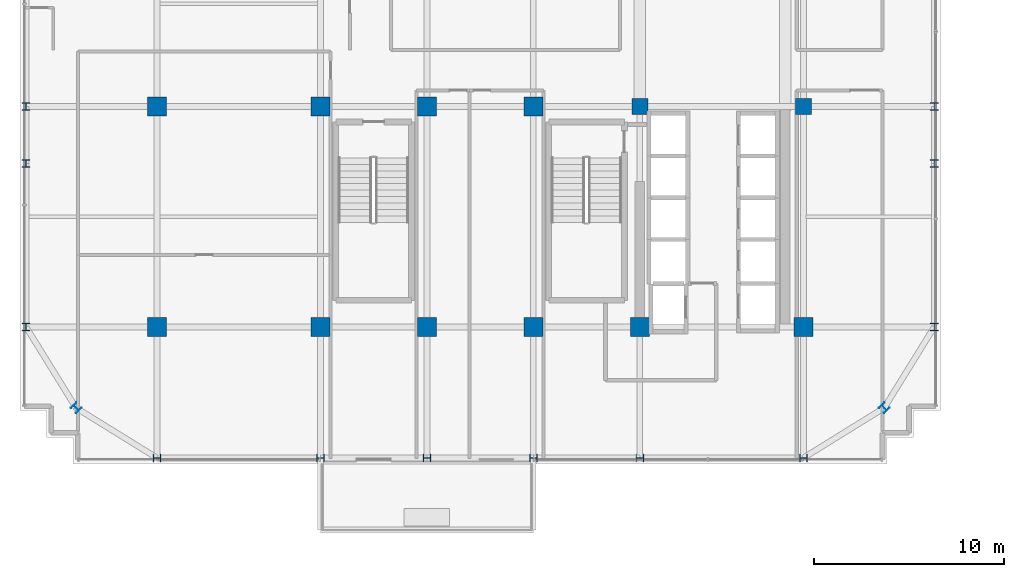
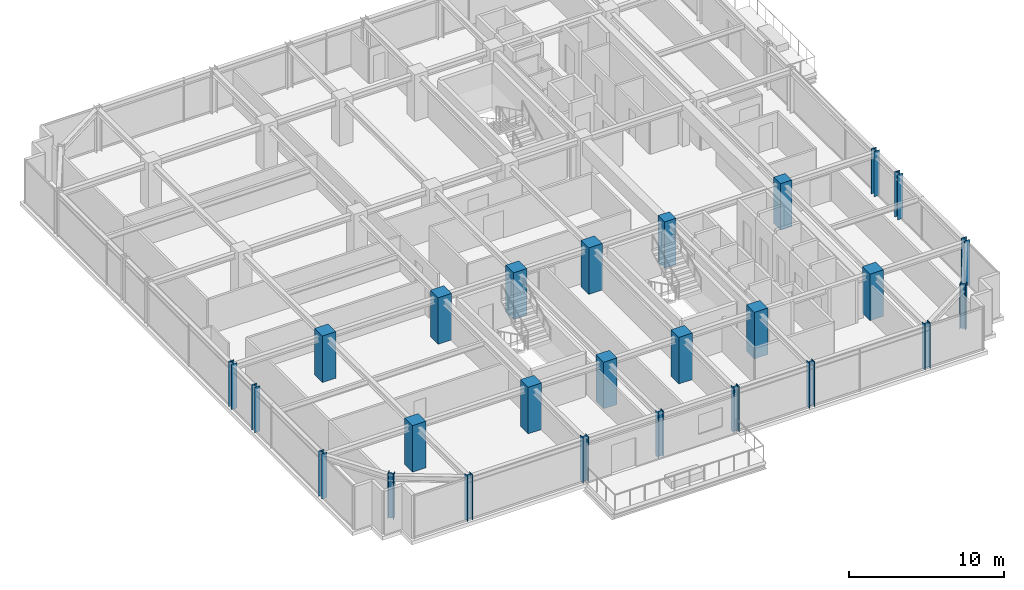
# One storey, part 1 of 36: 26 columns.
"""IFC4 building model written with IfcOpenShell, lengths in metres."""

import ifcopenshell
import ifcopenshell.guid

model = None  # the IFC model being written
_history = None  # IfcOwnerHistory: only IFC2X3 demands one
_inside = {}  # id of a spatial element -> (the spatial element, [elements in it])
_under = {}  # id of a project, library or spatial element -> (it, [spatial elements below it])
_declared = {}  # id of a project -> (the project, [libraries it declares])
_typed = {}  # id of a type object -> (the type object, [elements of that type])
_made_of = {}  # id of a material, layer set ... -> (it, [elements and type objects made of it])


def new_model(schema):
    """Start an empty IFC model of exactly this schema.

    Asked for "IFC4X3", IfcOpenShell would pick the latest addendum, in which some entities
    have other attributes; the version numbers below select the first issue.
    IFC2X3 requires an IfcOwnerHistory on every rooted entity: one is made here for all.
    """
    global model, _history
    if schema == "IFC4X3":
        model = ifcopenshell.file(schema_version=(4, 3, 0, 0))
    else:
        model = ifcopenshell.file(schema=schema)
    _inside.clear()
    _under.clear()
    _declared.clear()
    _typed.clear()
    _made_of.clear()
    _history = None
    if model.schema == "IFC2X3":
        org = make("IfcOrganization", Name="unknown")
        user = make(
            "IfcPersonAndOrganization",
            ThePerson=make("IfcPerson", FamilyName="unknown"),
            TheOrganization=org,
        )
        app = make(
            "IfcApplication",
            ApplicationDeveloper=org,
            Version="unknown",
            ApplicationFullName="unknown",
            ApplicationIdentifier="unknown",
        )
        _history = make(
            "IfcOwnerHistory",
            OwningUser=user,
            OwningApplication=app,
            ChangeAction="ADDED",
            CreationDate=0,
        )
    return model


def make(cls, **values):
    """One entity of the class cls with the attributes given. An attribute that is None is left unset."""
    return model.create_entity(
        cls, **{name: value for name, value in values.items() if value is not None}
    )


def rooted(cls, **values):
    """An entity with a GlobalId (a new one), such as an element, a storey or a relation."""
    return make(cls, GlobalId=ifcopenshell.guid.new(), OwnerHistory=_history, **values)


def si_unit(unit_type, name, prefix=None):
    """IfcSIUnit, for example si_unit("LENGTHUNIT", "METRE", prefix="MILLI")."""
    return make("IfcSIUnit", UnitType=unit_type, Prefix=prefix, Name=name)


def assignment(units):
    """IfcUnitAssignment: the units of a project."""
    return None if units is None else make("IfcUnitAssignment", Units=units)


def point(xyz):
    """IfcCartesianPoint."""
    return None if xyz is None else make("IfcCartesianPoint", Coordinates=xyz)


def direction(xyz):
    """IfcDirection."""
    return None if xyz is None else make("IfcDirection", DirectionRatios=xyz)


def frame(location, z_axis=None, x_axis=None):
    """IfcAxis2Placement3D, a coordinate frame: its origin and axes. An axis left out is left unset."""
    return make(
        "IfcAxis2Placement3D",
        Location=point(location),
        Axis=direction(z_axis),
        RefDirection=direction(x_axis),
    )


def frame_2d(location, x_axis=None):
    """IfcAxis2Placement2D, a coordinate frame in the plane: its origin and x axis."""
    return make(
        "IfcAxis2Placement2D", Location=point(location), RefDirection=direction(x_axis)
    )


def origin():
    """The frame at (0, 0, 0) with its axes left unset."""
    return frame((0.0, 0.0, 0.0))


def origin_2d():
    """The frame at (0, 0) in the plane with its x axis left unset."""
    return frame_2d((0.0, 0.0))


def place(relative_to, where):
    """IfcLocalPlacement: puts the frame where relative to a parent placement (None: the world)."""
    return make(
        "IfcLocalPlacement", PlacementRelTo=relative_to, RelativePlacement=where
    )


def context(
    kind, dimensions, precision=None, world=None, true_north=None, identifier=None
):
    """IfcGeometricRepresentationContext, for example the 3D "Model" context."""
    return make(
        "IfcGeometricRepresentationContext",
        ContextIdentifier=identifier,
        ContextType=kind,
        CoordinateSpaceDimension=dimensions,
        Precision=precision,
        WorldCoordinateSystem=world,
        TrueNorth=true_north,
    )


def subcontext(parent, identifier, kind, view, scale=None):
    """IfcGeometricRepresentationSubContext, for example "Body" below "Model"."""
    return make(
        "IfcGeometricRepresentationSubContext",
        ContextIdentifier=identifier,
        ContextType=kind,
        ParentContext=parent,
        TargetScale=scale,
        TargetView=view,
    )


def project(units=None, contexts=None):
    """IfcProject with its units and contexts."""
    return rooted(
        "IfcProject",
        Name="project",
        RepresentationContexts=contexts,
        UnitsInContext=assignment(units),
    )


def spatial(cls, under=None, at=None, **own):
    """A site, building, storey or space (cls), placed at a placement, below another one or the project."""
    s = rooted(cls, ObjectPlacement=at, **own)
    if under is not None:
        _under.setdefault(under.id(), (under, []))[1].append(s)
    return s


def profile(cls, at=None, kind="AREA", **sizes):
    """A parametric profile (cls). Its sizes go by their IFC names, for example OverallWidth=200.0."""
    return make(cls, ProfileType=kind, Position=at, **sizes)


def rectangle(**sizes):
    """IfcRectangleProfileDef."""
    return profile("IfcRectangleProfileDef", **sizes)


def i_section(**sizes):
    """IfcIShapeProfileDef."""
    return profile("IfcIShapeProfileDef", **sizes)


def extrude(swept, where, along, depth):
    """IfcExtrudedAreaSolid: the profile swept, set in the frame where, extruded along a direction by depth."""
    return make(
        "IfcExtrudedAreaSolid",
        SweptArea=swept,
        Position=where,
        ExtrudedDirection=direction(along),
        Depth=depth,
    )


def shape(context_of_items, identifier, shape_type, items):
    """IfcShapeRepresentation: the items that make up one representation, for example the "Body"."""
    return make(
        "IfcShapeRepresentation",
        ContextOfItems=context_of_items,
        RepresentationIdentifier=identifier,
        RepresentationType=shape_type,
        Items=items,
    )


def source(mapping_origin, context_of_items, identifier, shape_type, items):
    """IfcRepresentationMap: a shape defined once, which mapped items show again and again."""
    return make(
        "IfcRepresentationMap",
        MappingOrigin=mapping_origin,
        MappedRepresentation=shape(context_of_items, identifier, shape_type, items),
    )


def transform(
    local_origin,
    x_axis=None,
    y_axis=None,
    z_axis=None,
    scale=None,
    scale2=None,
    scale3=None,
    uniform=True,
):
    """IfcCartesianTransformationOperator3D, or its non-uniform kind. x_axis, y_axis, z_axis: its Axis1, 2, 3."""
    if uniform:
        return make(
            "IfcCartesianTransformationOperator3D",
            Axis1=direction(x_axis),
            Axis2=direction(y_axis),
            LocalOrigin=point(local_origin),
            Scale=scale,
            Axis3=direction(z_axis),
        )
    return make(
        "IfcCartesianTransformationOperator3DnonUniform",
        Axis1=direction(x_axis),
        Axis2=direction(y_axis),
        LocalOrigin=point(local_origin),
        Scale=scale,
        Axis3=direction(z_axis),
        Scale2=scale2,
        Scale3=scale3,
    )


def mapped(mapping_source, mapping_target):
    """IfcMappedItem: shows the shape of a source again, moved by a transform."""
    return make(
        "IfcMappedItem", MappingSource=mapping_source, MappingTarget=mapping_target
    )


def material(Name=None, Category=None):
    """IfcMaterial."""
    return make("IfcMaterial", Name=Name, Category=Category)


def material_profile(
    of_material, cross_section, Name=None, Category=None, Priority=None
):
    """IfcMaterialProfile: a cross section and its material."""
    return make(
        "IfcMaterialProfile",
        Name=Name,
        Material=of_material,
        Profile=cross_section,
        Priority=Priority,
        Category=Category,
    )


def profile_set(profiles, Name=None, composite=None):
    """IfcMaterialProfileSet."""
    return make(
        "IfcMaterialProfileSet",
        Name=Name,
        MaterialProfiles=profiles,
        CompositeProfile=composite,
    )


def made_of(thing, what):
    """Note that an element or type object is made of a material, layer set ...; save() writes the relation."""
    if what is not None:
        _made_of.setdefault(what.id(), (what, []))[1].append(thing)
    return thing


def type_object(cls, material=None, **own):
    """A type object (cls), such as IfcWallType, which elements share."""
    return made_of(rooted(cls, **own), material)


def element(
    cls,
    number,
    at=None,
    inside=None,
    cuts=None,
    type_object=None,
    material=None,
    context=None,
    identifier="Body",
    shape_type=None,
    held_by="IfcProductDefinitionShape",
    body=None,
    shapes=None,
    **own,
):
    """One element of the class cls, such as IfcWall. Its Tag is "e" and its number.

    at: its placement. inside: the storey or other place that contains it. cuts: it is an
    opening in that element (IfcRelVoidsElement). A single representation is given by context,
    identifier, shape_type and body (its items); several are given by shapes. held_by: the class
    of the entity that holds the representations. save() writes the other relations.
    """
    e = rooted(cls, Tag="e%d" % number, ObjectPlacement=at, **own)
    if body is not None:
        shapes = [shape(context, identifier, shape_type, body)]
    if shapes is not None:
        e.Representation = make(held_by, Representations=shapes)
    if inside is not None:
        _inside.setdefault(inside.id(), (inside, []))[1].append(e)
    if cuts is not None:
        rooted(
            "IfcRelVoidsElement", RelatingBuildingElement=cuts, RelatedOpeningElement=e
        )
    if type_object is not None:
        _typed.setdefault(type_object.id(), (type_object, []))[1].append(e)
    return made_of(e, material)


def aggregate(whole, parts):
    """IfcRelAggregates: a whole, such as a stair, and the parts it consists of."""
    return rooted("IfcRelAggregates", RelatingObject=whole, RelatedObjects=parts)


def save(model, path):
    """Write the relations noted so far, then the file.

    IfcRelAggregates (storeys below a building ...), IfcRelContainedInSpatialStructure (elements
    in a storey), IfcRelDefinesByType, IfcRelAssociatesMaterial and IfcRelDeclares: one each for
    every whole, place, type object, material and project.
    """
    for whole, parts in _under.values():
        aggregate(whole, parts)
    for where, things in _inside.values():
        rooted(
            "IfcRelContainedInSpatialStructure",
            RelatedElements=things,
            RelatingStructure=where,
        )
    for kind, things in _typed.values():
        rooted("IfcRelDefinesByType", RelatedObjects=things, RelatingType=kind)
    for what, things in _made_of.values():
        rooted("IfcRelAssociatesMaterial", RelatedObjects=things, RelatingMaterial=what)
    for by, libraries in _declared.values():
        rooted("IfcRelDeclares", RelatingContext=by, RelatedDefinitions=libraries)
    model.write(path)


model = new_model("IFC4")

# Units and contexts
model_context = context("Model", 3, precision=1e-05, world=origin(), true_north=direction((0.0, 1.0)))
body_context = subcontext(model_context, "Body", "Model", "MODEL_VIEW")
ifc_project = project(units=[si_unit("LENGTHUNIT", "METRE"), si_unit("AREAUNIT", "SQUARE_METRE"), si_unit("VOLUMEUNIT", "CUBIC_METRE"), si_unit("PLANEANGLEUNIT", "RADIAN"), si_unit("MASSUNIT", "GRAM", prefix="KILO")], contexts=[model_context])

# Site, building, storey
site_placement = place(None, origin())
site = spatial("IfcSite", under=ifc_project, at=site_placement, CompositionType="ELEMENT")
building_placement = place(site_placement, origin())
building = spatial("IfcBuilding", under=site, at=building_placement, Name="Nahalor Promenade Grand Hotel", CompositionType="ELEMENT")
storey_placement = place(building_placement, frame((0.0, 0.0, 253.0)))
storey = spatial("IfcBuildingStorey", under=building, at=storey_placement, Name="L65", CompositionType="ELEMENT", Elevation=253.0)

# Columns
ifc_material_1 = material(Name="Concrete B-60 (C50/60)", Category="concrete")
ifc_material_profile_1 = material_profile(ifc_material_1, rectangle(XDim=1.0, YDim=1.0, at=origin_2d()), Name="RC 1000x1000")
ifc_profile_set_1 = profile_set([ifc_material_profile_1], Name="Concrete B-60 (C50/60)")
column_type_1 = type_object("IfcColumnType", Name="Col-RC-1000", PredefinedType="COLUMN", material=ifc_profile_set_1)
shared_shape_1 = source(origin(), body_context, "Body", "SweptSolid", [
    extrude(rectangle(XDim=1.0, YDim=1.0, at=origin_2d()), origin(), (0.0, 0.0, 1.0), 3.655029296875),
])
for number, where, z_axis, x_axis, name in (
    (1, (-17.0, -17.0, 0.0), (0.0, 0.0, 1.0), (1.0, 0.0, 0.0), "COL-L65-I00"),
    (2, (-17.0, -5.39990234375, 0.0), (0.0, 0.0, 1.0), (1.0, 0.0, 0.0), "COL-L65-I01"),
    (3, (-8.39990234375, -17.0, 0.0), (0.0, 0.0, 1.0), (1.0, 0.0, 0.0), "COL-L65-I10"),
    (4, (-8.39990234375, -5.39990234375, 0.0), (0.0, 0.0, 1.0), (1.0, 0.0, 0.0), "COL-L65-I11"),
    (5, (-2.800048828125, -17.0, 0.0), (0.0, 0.0, 1.0), (1.0, 0.0, 0.0), "COL-L65-I20"),
    (6, (-2.800048828125, -5.39990234375, 0.0), (0.0, 0.0, 1.0), (1.0, 0.0, 0.0), "COL-L65-I21"),
    (7, (2.800048828125, -17.0, 0.0), (0.0, 0.0, 1.0), (1.0, 0.0, 0.0), "COL-L65-I30"),
    (8, (2.800048828125, -5.39990234375, 0.0), (0.0, 0.0, 1.0), (1.0, 0.0, 0.0), "COL-L65-I31"),
    (9, (8.39990234375, -17.0, 0.0), (0.0, 0.0, 1.0), (1.0, 0.0, 0.0), "COL-L65-I40"),
    (10, (17.0, -17.0, 0.0), (0.0, 0.0, 1.0), (1.0, 0.0, 0.0), "COL-L65-I50"),
):
    element("IfcColumn", number, at=place(storey_placement, frame(where, z_axis=z_axis, x_axis=x_axis)), inside=storey, type_object=column_type_1, Name=name, PredefinedType="COLUMN", context=body_context, shape_type="MappedRepresentation", body=[
        mapped(shared_shape_1, transform((0.0, 0.0, 0.0), scale=1.0)),
    ])
ifc_material_2 = material(Name="Concrete B-70 (C60/75)", Category="concrete")
ifc_material_profile_2 = material_profile(ifc_material_2, rectangle(XDim=0.85, YDim=0.85, at=origin_2d()), Name="RC 850x850")
ifc_profile_set_2 = profile_set([ifc_material_profile_2], Name="Concrete B-70 (C60/75)")
column_type_2 = type_object("IfcColumnType", Name="Col-Pilaster-850", PredefinedType="PILASTER", material=ifc_profile_set_2)
shared_shape_2 = source(origin(), body_context, "Body", "SweptSolid", [
    extrude(rectangle(XDim=0.85, YDim=0.85, at=origin_2d()), origin(), (0.0, 0.0, 1.0), 3.655029296875),
])
for number, where, z_axis, x_axis, name in (
    (11, (8.39990234375, -5.39990234375, 0.0), (0.0, 0.0, 1.0), (1.0, 0.0, 0.0), "COL-L65-I41"),
    (12, (17.0, -5.39990234375, 0.0), (0.0, 0.0, 1.0), (1.0, 0.0, 0.0), "COL-L65-I51"),
):
    element("IfcColumn", number, at=place(storey_placement, frame(where, z_axis=z_axis, x_axis=x_axis)), inside=storey, type_object=column_type_2, Name=name, PredefinedType="PILASTER", context=body_context, shape_type="MappedRepresentation", body=[
        mapped(shared_shape_2, transform((0.0, 0.0, 0.0), scale=1.0)),
    ])
ifc_material_3 = material(Name="Steel S355JR", Category="steel")
ifc_material_profile_3 = material_profile(ifc_material_3, i_section(OverallWidth=0.401, OverallDepth=0.406, WebThickness=0.0161, FlangeThickness=0.025, at=origin_2d()), Name="HD 400x314")
ifc_profile_set_3 = profile_set([ifc_material_profile_3], Name="Steel S355JR")
column_type_3 = type_object("IfcColumnType", Name="Col-Steel-HD314", PredefinedType="COLUMN", material=ifc_profile_set_3)
shared_shape_3 = source(origin(), body_context, "Body", "SweptSolid", [
    extrude(i_section(OverallWidth=0.401, OverallDepth=0.406, WebThickness=0.0161, FlangeThickness=0.025, at=origin_2d()), origin(), (0.0, 0.0, 1.0), 3.554931640625),
])
for number, where, z_axis, x_axis, name in (
    (13, (-23.8798828125, -17.0, 0.0), (0.0, 0.0, 1.0), (1.0, 0.0, 0.0), "COL-L65-PW-W0"),
    (14, (23.8798828125, -17.0, 0.0), (0.0, 0.0, 1.0), (1.0, 0.0, 0.0), "COL-L65-PW-E0"),
    (15, (-23.8798828125, -8.39990234375, 0.0), (0.0, 0.0, 1.0), (1.0, 0.0, 0.0), "COL-L65-PW-W1"),
    (16, (23.8798828125, -8.39990234375, 0.0), (0.0, 0.0, 1.0), (1.0, 0.0, 0.0), "COL-L65-PW-E1"),
    (17, (-23.8798828125, -5.39990234375, 0.0), (0.0, 0.0, 1.0), (1.0, 0.0, 0.0), "COL-L65-PW-W2"),
    (18, (23.8798828125, -5.39990234375, 0.0), (0.0, 0.0, 1.0), (1.0, 0.0, 0.0), "COL-L65-PW-E2"),
    (19, (-17.0, -23.8798828125, 0.0), (0.0, 0.0, 1.0), (0.0, 1.0, 0.0), "COL-L65-PN-S0"),
    (20, (-8.39990234375, -23.8798828125, 0.0), (0.0, 0.0, 1.0), (0.0, 1.0, 0.0), "COL-L65-PN-S1"),
    (21, (-2.800048828125, -23.8798828125, 0.0), (0.0, 0.0, 1.0), (0.0, 1.0, 0.0), "COL-L65-PN-S2"),
    (22, (2.800048828125, -23.8798828125, 0.0), (0.0, 0.0, 1.0), (0.0, 1.0, 0.0), "COL-L65-PN-S3"),
    (23, (8.39990234375, -23.8798828125, 0.0), (0.0, 0.0, 1.0), (0.0, 1.0, 0.0), "COL-L65-PN-S4"),
    (24, (17.0, -23.8798828125, 0.0), (0.0, 0.0, 1.0), (0.0, 1.0, 0.0), "COL-L65-PN-S5"),
    (25, (-21.25, -21.25, 0.0), (0.0, 0.0, 1.0), (0.707106781187, 0.707106781187, 0.0), "COL-L65-CRN-SW"),
    (26, (21.25, -21.25, 0.0), (0.0, 0.0, 1.0), (0.707106781187, 0.707106781187, 0.0), "COL-L65-CRN-SE"),
):
    element("IfcColumn", number, at=place(storey_placement, frame(where, z_axis=z_axis, x_axis=x_axis)), inside=storey, type_object=column_type_3, Name=name, PredefinedType="COLUMN", context=body_context, shape_type="MappedRepresentation", body=[
        mapped(shared_shape_3, transform((0.0, 0.0, 0.0), scale=1.0)),
    ])

save(model, "model.ifc")
